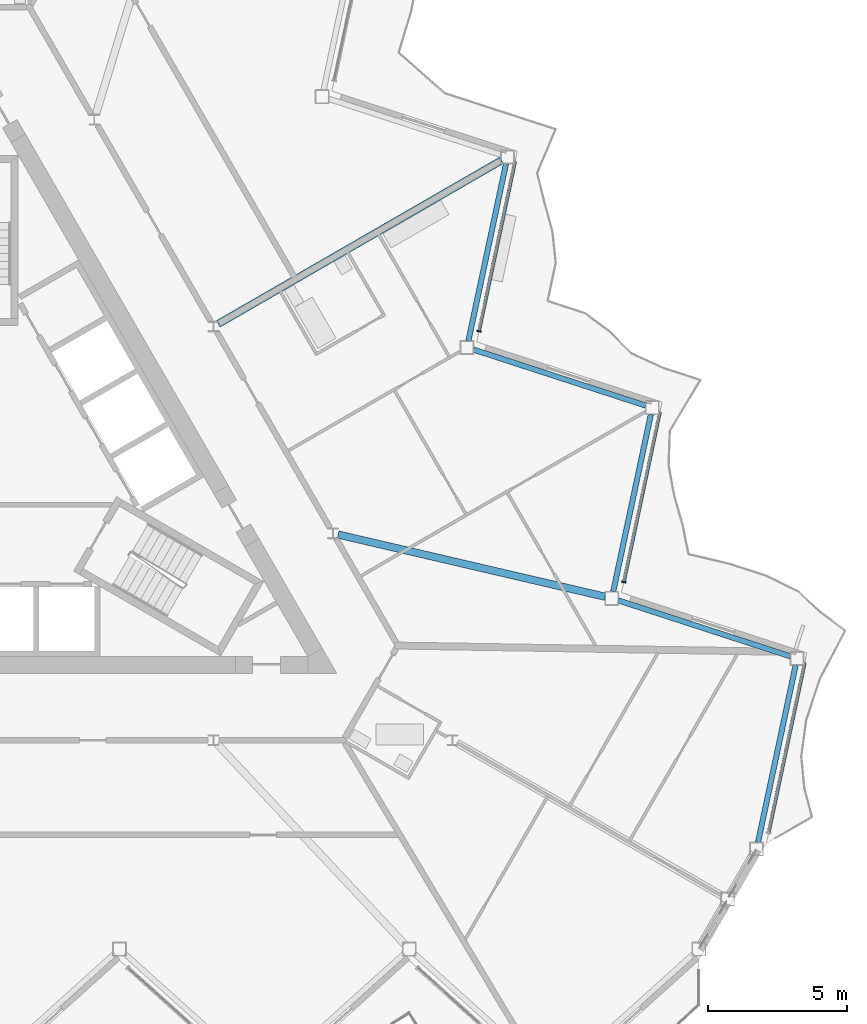
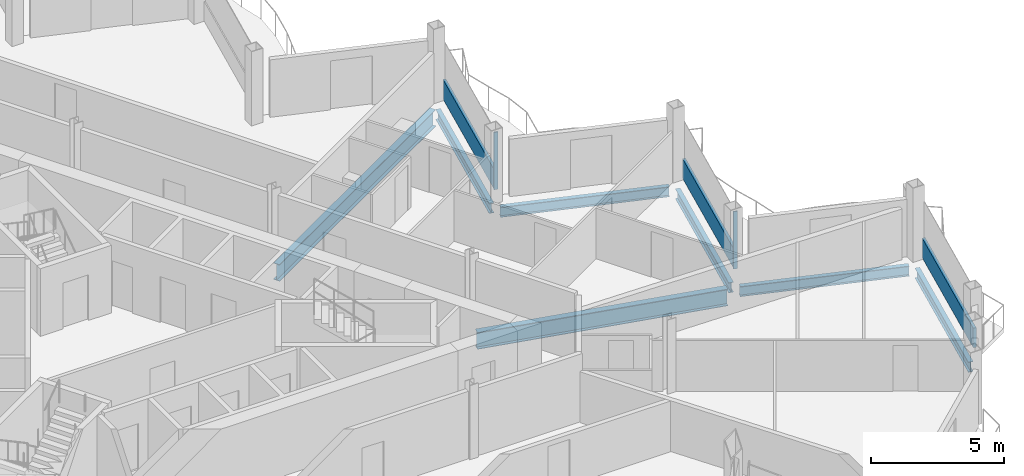
# One storey, part 8 of 26: 7 beams, 5 members, 3 elements without a shape of their own.
"""IFC4 building model written with IfcOpenShell, lengths in metres."""

from ifc_helpers import new_model, si_unit, direction, frame, origin, origin_2d, place, context, subcontext, project, spatial, rectangle, i_section, extrude, material, layer, layer_set, material_profile, profile_set, type_object, element, aggregate, save


model = new_model("IFC4")

# Units and contexts
model_context = context("Model", 3, precision=1e-05, world=origin(), true_north=direction((0.0, 1.0)))
body_context = subcontext(model_context, "Body", "Model", "MODEL_VIEW")
ifc_project = project(units=[si_unit("LENGTHUNIT", "METRE"), si_unit("AREAUNIT", "SQUARE_METRE"), si_unit("VOLUMEUNIT", "CUBIC_METRE"), si_unit("PLANEANGLEUNIT", "RADIAN"), si_unit("MASSUNIT", "GRAM", prefix="KILO")], contexts=[model_context])

# Site, building, storey
site_placement = place(None, origin())
site = spatial("IfcSite", under=ifc_project, at=site_placement, CompositionType="ELEMENT")
building_placement = place(site_placement, origin())
building = spatial("IfcBuilding", under=site, at=building_placement, Name="Cormorant Prow Tower", CompositionType="ELEMENT")
storey_placement = place(building_placement, frame((0.0, 0.0, 381.39990234375)))
storey = spatial("IfcBuildingStorey", under=building, at=storey_placement, Name="L86", CompositionType="ELEMENT", Elevation=381.39990234375)

# Beams
ifc_material_1 = material(Name="Structural steel ASTM A992 Gr 50", Category="steel")
ifc_material_profile_1 = material_profile(ifc_material_1, i_section(OverallWidth=0.267822265625, OverallDepth=0.77001953125, WebThickness=0.015625, FlangeThickness=0.025390625, at=origin_2d()), Name="W30x132")
ifc_profile_set_1 = profile_set([ifc_material_profile_1], Name="Structural steel ASTM A992 Gr 50")
beam_type_1 = type_object("IfcBeamType", Name="Radial floor beam W30x132", PredefinedType="BEAM", material=ifc_profile_set_1)
beam_1_placement = place(storey_placement, frame((13.0498046875, -2.518798828125, -0.684814453125), z_axis=(0.973926084128, -0.226865560752, 0.0), x_axis=(0.226865560752, 0.973926084128, 0.0)))
element("IfcBeam", 1, at=beam_1_placement, inside=storey, type_object=beam_type_1, Name="Radial floor beam FB3 10 L86", PredefinedType="BEAM", context=body_context, shape_type="SweptSolid", body=[
    extrude(i_section(OverallWidth=0.267822265625, OverallDepth=0.77001953125, WebThickness=0.015625, FlangeThickness=0.025390625, at=origin_2d()), origin(), (0.0, 0.0, 1.0), 9.837158203125),
])
beam_2_placement = place(storey_placement, frame((8.740478515625, 5.04638671875, -0.684814453125), z_axis=(0.866026702285, 0.499997750924, 0.0), x_axis=(-0.499997750924, 0.866026702285, 0.0)))
element("IfcBeam", 2, at=beam_2_placement, inside=storey, type_object=beam_type_1, Name="Radial floor beam FB3 11 L86", PredefinedType="BEAM", context=body_context, shape_type="SweptSolid", body=[
    extrude(i_section(OverallWidth=0.267822265625, OverallDepth=0.77001953125, WebThickness=0.015625, FlangeThickness=0.025390625, at=origin_2d()), origin(), (0.0, 0.0, 1.0), 11.7451171875),
])

# Curtain wall, member
ifc_material_2 = material(Name="Aluminium 6063-T6", Category="aluminium")
ifc_layer = layer(ifc_material_2, 0.159912109375)
ifc_layer_set = layer_set([ifc_layer], Name="Aluminium 6063-T6")
curtain_wall_type = type_object("IfcCurtainWallType", Name="Residential unitised curtain wall 160", PredefinedType="NOTDEFINED", material=ifc_layer_set)
curtain_wall_1_placement = place(storey_placement, origin())
curtain_wall_1 = element("IfcCurtainWall", 3, at=curtain_wall_1_placement, inside=storey, type_object=curtain_wall_type, Name="Residential curtain wall ENE02", PredefinedType="NOTDEFINED")
ifc_material_3 = material(Name="Aluminium 6063-T6", Category="aluminium")
ifc_material_profile_2 = material_profile(ifc_material_3, rectangle(XDim=0.159912109375, YDim=0.050048828125, at=origin_2d()), Name="Residential mullion 50x160")
ifc_profile_set_2 = profile_set([ifc_material_profile_2], Name="Aluminium 6063-T6")
member_type_1 = type_object("IfcMemberType", Name="Residential mullion 50x160", PredefinedType="MULLION", material=ifc_profile_set_2)
member_1_placement = place(storey_placement, frame((23.304931640625, -4.22265625, 0.0), z_axis=(0.0, 0.0, 1.0), x_axis=(-0.978147586701, 0.207911756835, 0.0)))
member_1 = element("IfcMember", 4, at=member_1_placement, type_object=member_type_1, Name="Residential mullion ENE02", PredefinedType="MULLION", context=body_context, shape_type="SweptSolid", body=[
    extrude(rectangle(XDim=0.159912109375, YDim=0.050048828125, at=origin_2d()), origin(), (0.0, 0.0, 1.0), 2.634033203125),
])

curtain_wall_2_placement = place(storey_placement, origin())
curtain_wall_2 = element("IfcCurtainWall", 5, at=curtain_wall_2_placement, inside=storey, type_object=curtain_wall_type, Name="Residential curtain wall ENE04", PredefinedType="NOTDEFINED")
member_2_placement = place(storey_placement, frame((18.10498046875, 4.783935546875, 0.0), z_axis=(0.0, 0.0, 1.0), x_axis=(-0.978147586701, 0.207911756835, 0.0)))
member_2 = element("IfcMember", 6, at=member_2_placement, type_object=member_type_1, Name="Residential mullion ENE04", PredefinedType="MULLION", context=body_context, shape_type="SweptSolid", body=[
    extrude(rectangle(XDim=0.159912109375, YDim=0.050048828125, at=origin_2d()), origin(), (0.0, 0.0, 1.0), 2.634033203125),
])

curtain_wall_3_placement = place(storey_placement, origin())
curtain_wall_3 = element("IfcCurtainWall", 7, at=curtain_wall_3_placement, inside=storey, type_object=curtain_wall_type, Name="Residential curtain wall ENE00", PredefinedType="NOTDEFINED")
ifc_material_4 = material(Name="Terracotta", Category="masonry")
ifc_material_profile_3 = material_profile(ifc_material_4, rectangle(XDim=0.1201171875, YDim=0.89990234375, at=origin_2d()), Name="Residential terracotta spandrel rail 120x900")
ifc_profile_set_3 = profile_set([ifc_material_profile_3], Name="Terracotta")
member_type_2 = type_object("IfcMemberType", Name="Residential terracotta spandrel rail 120x900", PredefinedType="USERDEFINED", material=ifc_profile_set_3)
member_3_placement = place(storey_placement, frame((28.510009765625, -13.204833984375, 0.4501953125), z_axis=(0.207916541247, 0.978146569731, 0.0), x_axis=(-0.978146569731, 0.207916541247, 0.0)))
member_3 = element("IfcMember", 8, at=member_3_placement, type_object=member_type_2, Name="Residential spandrel rail ENE00", ObjectType="TRANSOM", PredefinedType="USERDEFINED", context=body_context, shape_type="SweptSolid", body=[
    extrude(rectangle(XDim=0.1201171875, YDim=0.89990234375, at=origin_2d()), origin(), (0.0, 0.0, 1.0), 6.215087890625),
])
aggregate(curtain_wall_3, [member_3])

# Member
member_4_placement = place(storey_placement, frame((23.31005859375, -4.1982421875, 0.4501953125), z_axis=(0.207916541247, 0.978146569731, 0.0), x_axis=(-0.978146569731, 0.207916541247, 0.0)))
member_4 = element("IfcMember", 9, at=member_4_placement, type_object=member_type_2, Name="Residential spandrel rail ENE02", ObjectType="TRANSOM", PredefinedType="USERDEFINED", context=body_context, shape_type="SweptSolid", body=[
    extrude(rectangle(XDim=0.1201171875, YDim=0.89990234375, at=origin_2d()), origin(), (0.0, 0.0, 1.0), 6.215087890625),
])

aggregate(curtain_wall_1, [member_1, member_4])

member_5_placement = place(storey_placement, frame((18.110107421875, 4.808349609375, 0.4501953125), z_axis=(0.207908552773, 0.978148267741, 0.0), x_axis=(-0.978148267741, 0.207908552773, 0.0)))
member_5 = element("IfcMember", 10, at=member_5_placement, type_object=member_type_2, Name="Residential spandrel rail ENE04", ObjectType="TRANSOM", PredefinedType="USERDEFINED", context=body_context, shape_type="SweptSolid", body=[
    extrude(rectangle(XDim=0.1201171875, YDim=0.89990234375, at=origin_2d()), origin(), (0.0, 0.0, 1.0), 6.21533203125),
])

aggregate(curtain_wall_2, [member_2, member_5])

# Beams
ifc_material_5 = material(Name="Structural steel ASTM A992 Gr 50", Category="steel")
ifc_material_profile_4 = material_profile(ifc_material_5, i_section(OverallWidth=0.19287109375, OverallDepth=0.466064453125, WebThickness=0.011474609375, FlangeThickness=0.01904296875, at=origin_2d()), Name="W18x65")
ifc_profile_set_4 = profile_set([ifc_material_profile_4], Name="Structural steel ASTM A992 Gr 50")
beam_type_2 = type_object("IfcBeamType", Name="Spandrel beam W18x65", PredefinedType="SPANDREL", material=ifc_profile_set_4)
beam_3_placement = place(storey_placement, frame((28.125732421875, -13.5693359375, -0.532958984375), z_axis=(0.207901897373, 0.978149682344, 0.0), x_axis=(-0.978149682344, 0.207901897373, 0.0)))
element("IfcBeam", 11, at=beam_3_placement, inside=storey, type_object=beam_type_2, Name="Spandrel beam SB4 ENE00-ENE01 L86", PredefinedType="SPANDREL", context=body_context, shape_type="SweptSolid", body=[
    extrude(i_section(OverallWidth=0.19287109375, OverallDepth=0.466064453125, WebThickness=0.011474609375, FlangeThickness=0.01904296875, at=origin_2d()), origin(), (0.0, 0.0, 1.0), 6.49755859375),
])
for number, where, z_axis, x_axis, name in (
    (12, (29.290771484375, -6.89208984375, -0.532958984375), (-0.951053396625, 0.309026595569, 0.0), (-0.309026595569, -0.951053396625, 0.0), "Spandrel beam SB4 ENE01-ENE02 L86"),
    (13, (22.92578125, -4.5625, -0.532958984375), (0.207909538847, 0.978148058147, 0.0), (-0.978148058147, 0.207909538847, 0.0), "Spandrel beam SB4 ENE02-ENE03 L86"),
    (14, (24.0908203125, 2.114501953125, -0.532958984375), (-0.951053396625, 0.309026595569, 0.0), (-0.309026595569, -0.951053396625, 0.0), "Spandrel beam SB4 ENE03-ENE04 L86"),
    (15, (17.725830078125, 4.444091796875, -0.532958984375), (0.207909538847, 0.978148058147, 0.0), (-0.978148058147, 0.207909538847, 0.0), "Spandrel beam SB4 ENE04-ENE05 L86"),
):
    element("IfcBeam", number, at=place(storey_placement, frame(where, z_axis=z_axis, x_axis=x_axis)), inside=storey, type_object=beam_type_2, Name=name, PredefinedType="SPANDREL", context=body_context, shape_type="SweptSolid", body=[
        extrude(i_section(OverallWidth=0.19287109375, OverallDepth=0.466064453125, WebThickness=0.011474609375, FlangeThickness=0.01904296875, at=origin_2d()), origin(), (0.0, 0.0, 1.0), 6.497314453125),
    ])

save(model, "model.ifc")
